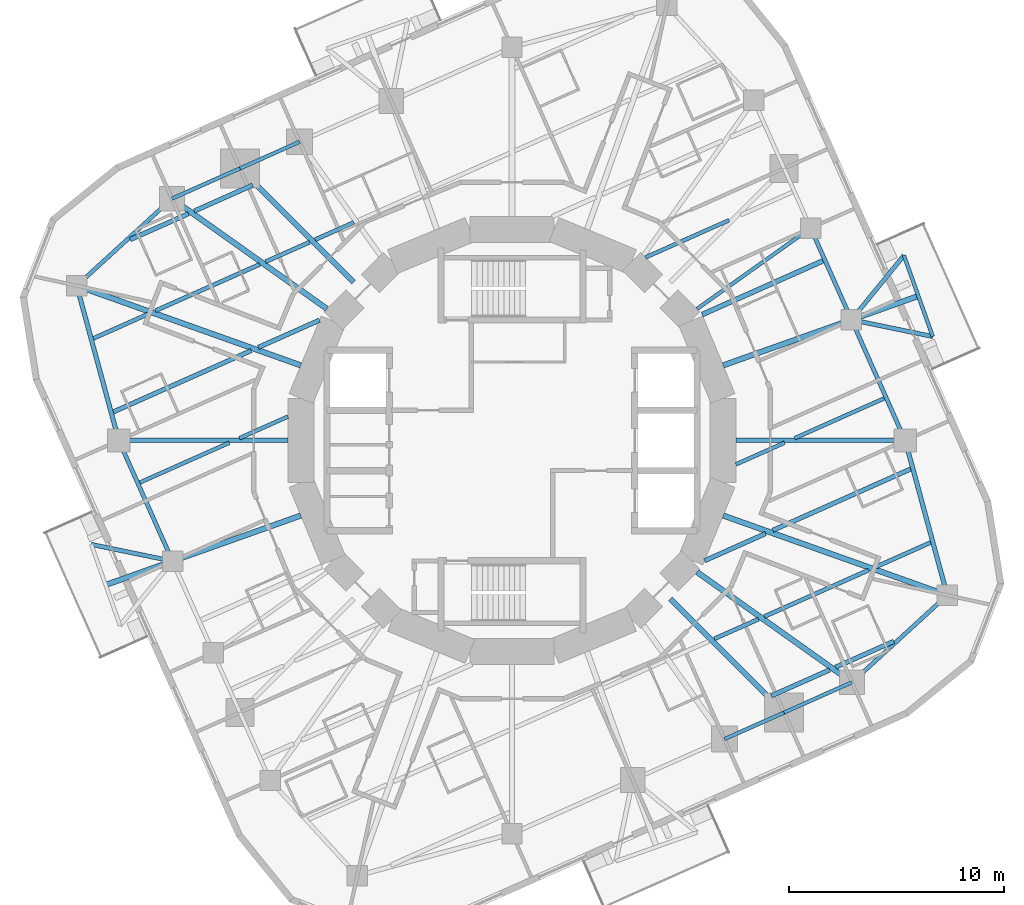
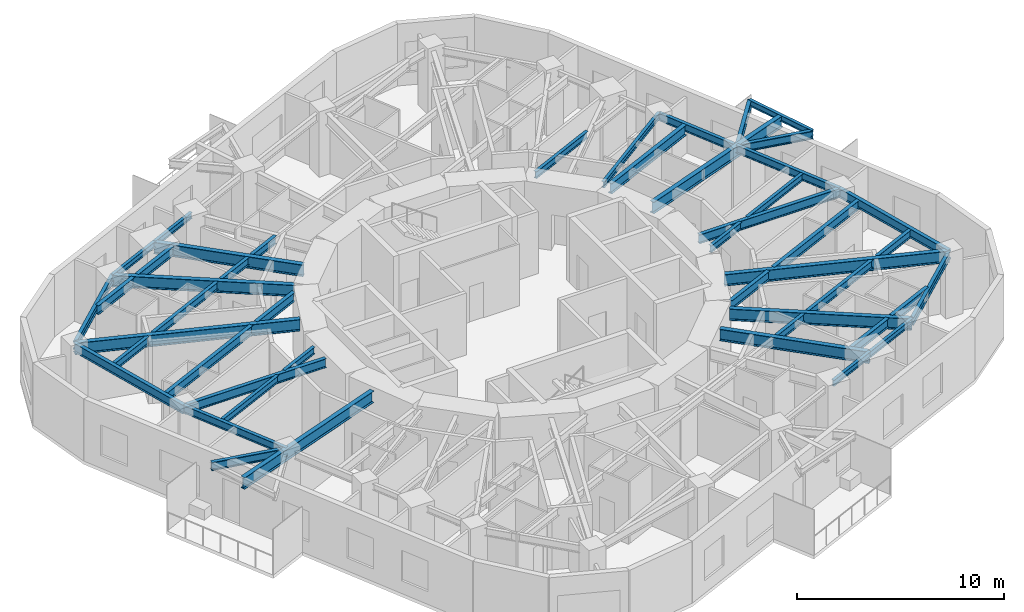
# One storey, part 2 of 12: 47 beams.
"""IFC4 building model written with IfcOpenShell, lengths in metres."""

from ifc_helpers import new_model, si_unit, direction, frame, origin, origin_2d, place, context, subcontext, project, spatial, i_section, extrude, material, material_profile, profile_set, type_object, element, save


model = new_model("IFC4")

# Units and contexts
model_context = context("Model", 3, precision=1e-05, world=origin(), true_north=direction((0.0, 1.0)))
body_context = subcontext(model_context, "Body", "Model", "MODEL_VIEW")
ifc_project = project(units=[si_unit("LENGTHUNIT", "METRE"), si_unit("AREAUNIT", "SQUARE_METRE"), si_unit("VOLUMEUNIT", "CUBIC_METRE"), si_unit("PLANEANGLEUNIT", "RADIAN"), si_unit("MASSUNIT", "GRAM", prefix="KILO")], contexts=[model_context])

# Site, building, storey
site_placement = place(None, origin())
site = spatial("IfcSite", under=ifc_project, at=site_placement, CompositionType="ELEMENT")
building_placement = place(site_placement, origin())
building = spatial("IfcBuilding", under=site, at=building_placement, Name="Nakasero Lantern House", CompositionType="ELEMENT")
storey_placement = place(building_placement, frame((0.0, 0.0, 197.85009765625)))
storey = spatial("IfcBuildingStorey", under=building, at=storey_placement, Name="L48", CompositionType="ELEMENT", Elevation=197.85009765625)

# Beams
ifc_material_1 = material(Name="Steel S355", Category="steel")
ifc_material_profile_1 = material_profile(ifc_material_1, i_section(OverallWidth=0.199462890625, OverallDepth=0.491943359375, WebThickness=0.01806640625, FlangeThickness=0.031982421875, FilletRadius=0.01025390625, at=origin_2d()), Name="UB 457x191x161")
ifc_profile_set_1 = profile_set([ifc_material_profile_1], Name="Steel S355")
beam_type_1 = type_object("IfcBeamType", Name="Balcony splay beam UB 457x191x161", PredefinedType="BEAM", material=ifc_profile_set_1)
beam_1_placement = place(storey_placement, frame((15.781982421875, 5.611328125, 3.40380859375), z_axis=(0.632165712937, 0.774833215206, 0.0), x_axis=(-0.774833215206, 0.632165712937, 0.0)))
element("IfcBeam", 1, at=beam_1_placement, inside=storey, type_object=beam_type_1, Name="Balcony splay beam L49 B5-C04A", PredefinedType="BEAM", context=body_context, shape_type="SweptSolid", body=[
    extrude(i_section(OverallWidth=0.199462890625, OverallDepth=0.491943359375, WebThickness=0.01806640625, FlangeThickness=0.031982421875, FilletRadius=0.01025390625, at=origin_2d()), origin(), (0.0, 0.0, 1.0), 3.85888671875),
])
for number, where, z_axis, x_axis, name in (
    (2, (15.781982421875, 5.611328125, 3.40380859375), (0.979420272605, -0.201831438605, 0.0), (0.201831438605, 0.979420272605, 0.0), "Balcony splay beam L49 B5-C04B"),
    (3, (-15.781982421875, -5.611328125, 3.40380859375), (-0.979420272605, 0.201831438605, 0.0), (-0.201831438605, -0.979420272605, 0.0), "Balcony splay beam L49 B5-C16B"),
):
    element("IfcBeam", number, at=place(storey_placement, frame(where, z_axis=z_axis, x_axis=x_axis)), inside=storey, type_object=beam_type_1, Name=name, PredefinedType="BEAM", context=body_context, shape_type="SweptSolid", body=[
        extrude(i_section(OverallWidth=0.199462890625, OverallDepth=0.491943359375, WebThickness=0.01806640625, FlangeThickness=0.031982421875, FilletRadius=0.01025390625, at=origin_2d()), origin(), (0.0, 0.0, 1.0), 3.858642578125),
    ])
ifc_material_2 = material(Name="Steel S355", Category="steel")
ifc_material_profile_2 = material_profile(ifc_material_2, i_section(OverallWidth=0.17138671875, OverallDepth=0.35498046875, WebThickness=0.00732421875, FlangeThickness=0.011474609375, FilletRadius=0.01025390625, at=origin_2d()), Name="UB 356x171x51")
ifc_profile_set_2 = profile_set([ifc_material_profile_2], Name="Steel S355")
beam_type_2 = type_object("IfcBeamType", Name="Balcony tie beam UB 356x171x51", PredefinedType="BEAM", material=ifc_profile_set_2)
beam_2_placement = place(storey_placement, frame((18.221435546875, 8.601318359375, 3.472412109375), z_axis=(0.334971134582, -0.94222839004, 0.0), x_axis=(0.94222839004, 0.334971134582, 0.0)))
element("IfcBeam", 4, at=beam_2_placement, inside=storey, type_object=beam_type_2, Name="Balcony tie beam L49 B5-C04", PredefinedType="BEAM", context=body_context, shape_type="SweptSolid", body=[
    extrude(i_section(OverallWidth=0.17138671875, OverallDepth=0.35498046875, WebThickness=0.00732421875, FlangeThickness=0.011474609375, FilletRadius=0.01025390625, at=origin_2d()), origin(), (0.0, 0.0, 1.0), 4.0),
])
ifc_material_3 = material(Name="Steel S355", Category="steel")
ifc_material_profile_3 = material_profile(ifc_material_3, i_section(OverallWidth=0.177978515625, OverallDepth=0.406494140625, WebThickness=0.0078125, FlangeThickness=0.0126953125, FilletRadius=0.01025390625, at=origin_2d()), Name="UB 406x178x60")
ifc_profile_set_3 = profile_set([ifc_material_profile_3], Name="Steel S355")
beam_type_3 = type_object("IfcBeamType", Name="Infill beam UB 406x178x60", PredefinedType="JOIST", material=ifc_profile_set_3)
beam_3_placement = place(storey_placement, frame((10.407958984375, -1.113037109375, 3.44677734375), z_axis=(0.913531019811, 0.406769069427, 0.0), x_axis=(-0.406769069427, 0.913531019811, 0.0)))
element("IfcBeam", 5, at=beam_3_placement, inside=storey, type_object=beam_type_3, Name="Infill beam L49 06.3", PredefinedType="JOIST", context=body_context, shape_type="SweptSolid", body=[
    extrude(i_section(OverallWidth=0.177978515625, OverallDepth=0.406494140625, WebThickness=0.0078125, FlangeThickness=0.0126953125, FilletRadius=0.01025390625, at=origin_2d()), origin(), (0.0, 0.0, 1.0), 2.478271484375),
])
for number, where, z_axis, x_axis, name in (
    (6, (13.1435546875, 0.10498046875, 3.44677734375), (0.913537236337, 0.406755107929, 0.0), (-0.406755107929, 0.913537236337, 0.0), "Infill beam L49 06.4"),
    (7, (-17.30419921875, -1.95751953125, 3.44677734375), (0.913537236337, 0.406755107929, 0.0), (-0.406755107929, 0.913537236337, 0.0), "Infill beam L49 09.1"),
):
    element("IfcBeam", number, at=place(storey_placement, frame(where, z_axis=z_axis, x_axis=x_axis)), inside=storey, type_object=beam_type_3, Name=name, PredefinedType="JOIST", context=body_context, shape_type="SweptSolid", body=[
        extrude(i_section(OverallWidth=0.177978515625, OverallDepth=0.406494140625, WebThickness=0.0078125, FlangeThickness=0.0126953125, FilletRadius=0.01025390625, at=origin_2d()), origin(), (0.0, 0.0, 1.0), 4.554443359375),
    ])
beam_4_placement = place(storey_placement, frame((-12.671875, 0.10498046875, 3.44677734375), z_axis=(0.913531019811, 0.406769069427, 0.0), x_axis=(-0.406769069427, 0.913531019811, 0.0)))
element("IfcBeam", 8, at=beam_4_placement, inside=storey, type_object=beam_type_3, Name="Infill beam L49 09.2", PredefinedType="JOIST", context=body_context, shape_type="SweptSolid", body=[
    extrude(i_section(OverallWidth=0.177978515625, OverallDepth=0.406494140625, WebThickness=0.0078125, FlangeThickness=0.0126953125, FilletRadius=0.01025390625, at=origin_2d()), origin(), (0.0, 0.0, 1.0), 2.478271484375),
])
beam_5_placement = place(storey_placement, frame((6.2080078125, 8.5107421875, 3.44677734375), z_axis=(0.91354134882, 0.406745871517, 0.0), x_axis=(-0.406745871517, 0.91354134882, 0.0)))
element("IfcBeam", 9, at=beam_5_placement, inside=storey, type_object=beam_type_3, Name="Infill beam L49 09.3", PredefinedType="JOIST", context=body_context, shape_type="SweptSolid", body=[
    extrude(i_section(OverallWidth=0.177978515625, OverallDepth=0.406494140625, WebThickness=0.0078125, FlangeThickness=0.0126953125, FilletRadius=0.01025390625, at=origin_2d()), origin(), (0.0, 0.0, 1.0), 4.250732421875),
])
ifc_material_4 = material(Name="Steel S355", Category="steel")
ifc_material_profile_4 = material_profile(ifc_material_4, i_section(OverallWidth=0.18994140625, OverallDepth=0.453369140625, WebThickness=0.008544921875, FlangeThickness=0.0126953125, FilletRadius=0.01025390625, at=origin_2d()), Name="UB 457x191x67")
ifc_profile_set_4 = profile_set([ifc_material_profile_4], Name="Steel S355")
beam_type_4 = type_object("IfcBeamType", Name="Infill beam UB 457x191x67", PredefinedType="JOIST", material=ifc_profile_set_4)
beam_6_placement = place(storey_placement, frame((9.403564453125, -9.22265625, 3.423095703125), z_axis=(0.913516376313, 0.406801954529, 0.0), x_axis=(-0.406801954529, 0.913516376313, 0.0)))
element("IfcBeam", 10, at=beam_6_placement, inside=storey, type_object=beam_type_4, Name="Infill beam L49 04.6", PredefinedType="JOIST", context=body_context, shape_type="SweptSolid", body=[
    extrude(i_section(OverallWidth=0.18994140625, OverallDepth=0.453369140625, WebThickness=0.008544921875, FlangeThickness=0.0126953125, FilletRadius=0.01025390625, at=origin_2d()), origin(), (0.0, 0.0, 1.0), 2.2529296875),
])
beam_7_placement = place(storey_placement, frame((11.73095703125, -8.186279296875, 3.423095703125), z_axis=(0.913558956665, 0.406706322421, 0.0), x_axis=(-0.406706322421, 0.913558956665, 0.0)))
element("IfcBeam", 11, at=beam_7_placement, inside=storey, type_object=beam_type_4, Name="Infill beam L49 04.7", PredefinedType="JOIST", context=body_context, shape_type="SweptSolid", body=[
    extrude(i_section(OverallWidth=0.18994140625, OverallDepth=0.453369140625, WebThickness=0.008544921875, FlangeThickness=0.0126953125, FilletRadius=0.01025390625, at=origin_2d()), origin(), (0.0, 0.0, 1.0), 5.3046875),
])
beam_8_placement = place(storey_placement, frame((16.913330078125, -5.87890625, 3.423095703125), z_axis=(0.913544199752, 0.406739468332, 0.0), x_axis=(-0.406739468332, 0.913544199752, 0.0)))
element("IfcBeam", 12, at=beam_8_placement, inside=storey, type_object=beam_type_4, Name="Infill beam L49 04.8", PredefinedType="JOIST", context=body_context, shape_type="SweptSolid", body=[
    extrude(i_section(OverallWidth=0.18994140625, OverallDepth=0.453369140625, WebThickness=0.008544921875, FlangeThickness=0.0126953125, FilletRadius=0.01025390625, at=origin_2d()), origin(), (0.0, 0.0, 1.0), 2.788818359375),
])
beam_9_placement = place(storey_placement, frame((-19.46142578125, 4.744384765625, 3.423095703125), z_axis=(0.913540637242, 0.4067474697, 0.0), x_axis=(-0.4067474697, 0.913540637242, 0.0)))
element("IfcBeam", 13, at=beam_9_placement, inside=storey, type_object=beam_type_4, Name="Infill beam L49 11.1", PredefinedType="JOIST", context=body_context, shape_type="SweptSolid", body=[
    extrude(i_section(OverallWidth=0.18994140625, OverallDepth=0.453369140625, WebThickness=0.008544921875, FlangeThickness=0.0126953125, FilletRadius=0.01025390625, at=origin_2d()), origin(), (0.0, 0.0, 1.0), 2.789306640625),
])
beam_10_placement = place(storey_placement, frame((-16.5771484375, 6.02880859375, 3.423095703125), z_axis=(0.913558956665, 0.406706322421, 0.0), x_axis=(-0.406706322421, 0.913558956665, 0.0)))
element("IfcBeam", 14, at=beam_10_placement, inside=storey, type_object=beam_type_4, Name="Infill beam L49 11.2", PredefinedType="JOIST", context=body_context, shape_type="SweptSolid", body=[
    extrude(i_section(OverallWidth=0.18994140625, OverallDepth=0.453369140625, WebThickness=0.008544921875, FlangeThickness=0.0126953125, FilletRadius=0.01025390625, at=origin_2d()), origin(), (0.0, 0.0, 1.0), 5.3046875),
])
beam_11_placement = place(storey_placement, frame((-11.461669921875, 8.30615234375, 3.423095703125), z_axis=(0.913516376313, 0.406801954529, 0.0), x_axis=(-0.406801954529, 0.913516376313, 0.0)))
element("IfcBeam", 15, at=beam_11_placement, inside=storey, type_object=beam_type_4, Name="Infill beam L49 11.3", PredefinedType="JOIST", context=body_context, shape_type="SweptSolid", body=[
    extrude(i_section(OverallWidth=0.18994140625, OverallDepth=0.453369140625, WebThickness=0.008544921875, FlangeThickness=0.0126953125, FilletRadius=0.01025390625, at=origin_2d()), origin(), (0.0, 0.0, 1.0), 2.2529296875),
])
beam_12_placement = place(storey_placement, frame((-9.153076171875, 9.333984375, 3.423095703125), z_axis=(0.913536028639, 0.406757820304, 0.0), x_axis=(-0.406757820304, 0.913536028639, 0.0)))
element("IfcBeam", 16, at=beam_12_placement, inside=storey, type_object=beam_type_4, Name="Infill beam L49 11.4", PredefinedType="JOIST", context=body_context, shape_type="SweptSolid", body=[
    extrude(i_section(OverallWidth=0.18994140625, OverallDepth=0.453369140625, WebThickness=0.008544921875, FlangeThickness=0.0126953125, FilletRadius=0.01025390625, at=origin_2d()), origin(), (0.0, 0.0, 1.0), 1.974609375),
])
ifc_material_5 = material(Name="Steel S355", Category="steel")
ifc_material_profile_5 = material_profile(ifc_material_5, i_section(OverallWidth=0.2099609375, OverallDepth=0.53662109375, WebThickness=0.0107421875, FlangeThickness=0.017333984375, FilletRadius=0.0126953125, at=origin_2d()), Name="UB 533x210x101")
ifc_profile_set_5 = profile_set([ifc_material_profile_5], Name="Steel S355")
beam_type_5 = type_object("IfcBeamType", Name="Infill beam UB 533x210x101", PredefinedType="JOIST", material=ifc_profile_set_5)
beam_13_placement = place(storey_placement, frame((12.054443359375, -11.87353515625, 3.381591796875), z_axis=(0.913551039628, 0.406724105501, 0.0), x_axis=(-0.406724105501, 0.913551039628, 0.0)))
element("IfcBeam", 17, at=beam_13_placement, inside=storey, type_object=beam_type_5, Name="Infill beam L49 03.2", PredefinedType="JOIST", context=body_context, shape_type="SweptSolid", body=[
    extrude(i_section(OverallWidth=0.2099609375, OverallDepth=0.53662109375, WebThickness=0.0107421875, FlangeThickness=0.017333984375, FilletRadius=0.0126953125, at=origin_2d()), origin(), (0.0, 0.0, 1.0), 2.977783203125),
])
for number, where, z_axis, x_axis, name in (
    (18, (15.044189453125, -10.54248046875, 3.381591796875), (0.91353278913, 0.406765095827, 0.0), (-0.406765095827, 0.91353278913, 0.0), "Infill beam L49 03.3"),
    (19, (-17.751708984375, 9.3369140625, 3.381591796875), (0.91353278913, 0.406765095827, 0.0), (-0.406765095827, 0.91353278913, 0.0), "Infill beam L49 12.1"),
):
    element("IfcBeam", number, at=place(storey_placement, frame(where, z_axis=z_axis, x_axis=x_axis)), inside=storey, type_object=beam_type_5, Name=name, PredefinedType="JOIST", context=body_context, shape_type="SweptSolid", body=[
        extrude(i_section(OverallWidth=0.2099609375, OverallDepth=0.53662109375, WebThickness=0.0107421875, FlangeThickness=0.017333984375, FilletRadius=0.0126953125, at=origin_2d()), origin(), (0.0, 0.0, 1.0), 2.9638671875),
    ])
beam_14_placement = place(storey_placement, frame((-14.77490234375, 10.662353515625, 3.381591796875), z_axis=(0.913551039628, 0.406724105501, 0.0), x_axis=(-0.406724105501, 0.913551039628, 0.0)))
element("IfcBeam", 20, at=beam_14_placement, inside=storey, type_object=beam_type_5, Name="Infill beam L49 12.2", PredefinedType="JOIST", context=body_context, shape_type="SweptSolid", body=[
    extrude(i_section(OverallWidth=0.2099609375, OverallDepth=0.53662109375, WebThickness=0.0107421875, FlangeThickness=0.017333984375, FilletRadius=0.0126953125, at=origin_2d()), origin(), (0.0, 0.0, 1.0), 2.977783203125),
])
ifc_material_6 = material(Name="Steel S355", Category="steel")
ifc_material_profile_6 = material_profile(ifc_material_6, i_section(OverallWidth=0.208740234375, OverallDepth=0.5283203125, WebThickness=0.009521484375, FlangeThickness=0.01318359375, FilletRadius=0.0126953125, at=origin_2d()), Name="UB 533x210x82")
ifc_profile_set_6 = profile_set([ifc_material_profile_6], Name="Steel S355")
beam_type_6 = type_object("IfcBeamType", Name="Infill beam UB 533x210x82", PredefinedType="JOIST", material=ifc_profile_set_6)
beam_15_placement = place(storey_placement, frame((8.9482421875, -5.593994140625, 3.3857421875), z_axis=(0.913555928833, 0.406713123582, 0.0), x_axis=(-0.406713123582, 0.913555928833, 0.0)))
element("IfcBeam", 21, at=beam_15_placement, inside=storey, type_object=beam_type_6, Name="Infill beam L49 05.4", PredefinedType="JOIST", context=body_context, shape_type="SweptSolid", body=[
    extrude(i_section(OverallWidth=0.208740234375, OverallDepth=0.5283203125, WebThickness=0.009521484375, FlangeThickness=0.01318359375, FilletRadius=0.0126953125, at=origin_2d()), origin(), (0.0, 0.0, 1.0), 3.113525390625),
])
beam_16_placement = place(storey_placement, frame((12.12890625, -4.177978515625, 3.3857421875), z_axis=(0.913538442343, 0.406752399332, 0.0), x_axis=(-0.406752399332, 0.913538442343, 0.0)))
element("IfcBeam", 22, at=beam_16_placement, inside=storey, type_object=beam_type_6, Name="Infill beam L49 05.5", PredefinedType="JOIST", context=body_context, shape_type="SweptSolid", body=[
    extrude(i_section(OverallWidth=0.208740234375, OverallDepth=0.5283203125, WebThickness=0.009521484375, FlangeThickness=0.01318359375, FilletRadius=0.0126953125, at=origin_2d()), origin(), (0.0, 0.0, 1.0), 7.00927734375),
])
beam_17_placement = place(storey_placement, frame((-18.53271484375, 1.32666015625, 3.3857421875), z_axis=(0.913537025225, 0.406755582067, 0.0), x_axis=(-0.406755582067, 0.913537025225, 0.0)))
element("IfcBeam", 23, at=beam_17_placement, inside=storey, type_object=beam_type_6, Name="Infill beam L49 10.1", PredefinedType="JOIST", context=body_context, shape_type="SweptSolid", body=[
    extrude(i_section(OverallWidth=0.208740234375, OverallDepth=0.5283203125, WebThickness=0.009521484375, FlangeThickness=0.01318359375, FilletRadius=0.0126953125, at=origin_2d()), origin(), (0.0, 0.0, 1.0), 7.010009765625),
])
beam_18_placement = place(storey_placement, frame((-11.792724609375, 4.32763671875, 3.3857421875), z_axis=(0.913555928833, 0.406713123582, 0.0), x_axis=(-0.406713123582, 0.913555928833, 0.0)))
element("IfcBeam", 24, at=beam_18_placement, inside=storey, type_object=beam_type_6, Name="Infill beam L49 10.2", PredefinedType="JOIST", context=body_context, shape_type="SweptSolid", body=[
    extrude(i_section(OverallWidth=0.208740234375, OverallDepth=0.5283203125, WebThickness=0.009521484375, FlangeThickness=0.01318359375, FilletRadius=0.0126953125, at=origin_2d()), origin(), (0.0, 0.0, 1.0), 3.113525390625),
])
ifc_material_7 = material(Name="Steel S355", Category="steel")
ifc_material_profile_7 = material_profile(ifc_material_7, i_section(OverallWidth=0.22900390625, OverallDepth=0.6123046875, WebThickness=0.011962890625, FlangeThickness=0.01953125, FilletRadius=0.0126953125, at=origin_2d()), Name="UB 610x229x125")
ifc_profile_set_7 = profile_set([ifc_material_profile_7], Name="Steel S355")
beam_type_7 = type_object("IfcBeamType", Name="Infill beam UB 610x229x125", PredefinedType="JOIST", material=ifc_profile_set_7)
beam_19_placement = place(storey_placement, frame((8.84130859375, 5.85205078125, 3.34375), z_axis=(0.913552627294, 0.406720539393, 0.0), x_axis=(-0.406720539393, 0.913552627294, 0.0)))
element("IfcBeam", 25, at=beam_19_placement, inside=storey, type_object=beam_type_7, Name="Infill beam L49 08.1", PredefinedType="JOIST", context=body_context, shape_type="SweptSolid", body=[
    extrude(i_section(OverallWidth=0.22900390625, OverallDepth=0.6123046875, WebThickness=0.011962890625, FlangeThickness=0.01953125, FilletRadius=0.0126953125, at=origin_2d()), origin(), (0.0, 0.0, 1.0), 6.14794921875),
])
ifc_material_8 = material(Name="Steel S355", Category="steel")
ifc_material_profile_8 = material_profile(ifc_material_8, i_section(OverallWidth=0.17138671875, OverallDepth=0.35498046875, WebThickness=0.00732421875, FlangeThickness=0.011474609375, FilletRadius=0.01025390625, at=origin_2d()), Name="UB 356x171x51")
ifc_profile_set_8 = profile_set([ifc_material_profile_8], Name="Steel S355")
beam_type_8 = type_object("IfcBeamType", Name="Primary beam UB 356x171x51, span 6 to 9 m", PredefinedType="BEAM", material=ifc_profile_set_8)
beam_20_placement = place(storey_placement, frame((13.884521484375, 9.87353515625, 3.472412109375), z_axis=(-0.8149430702, -0.57954101868, 0.0), x_axis=(0.57954101868, -0.8149430702, 0.0)))
element("IfcBeam", 26, at=beam_20_placement, inside=storey, type_object=beam_type_8, Name="Primary beam L49 B5-C05", PredefinedType="BEAM", context=body_context, shape_type="SweptSolid", body=[
    extrude(i_section(OverallWidth=0.17138671875, OverallDepth=0.35498046875, WebThickness=0.00732421875, FlangeThickness=0.011474609375, FilletRadius=0.01025390625, at=origin_2d()), origin(), (0.0, 0.0, 1.0), 6.48193359375),
])
ifc_material_9 = material(Name="Steel S355", Category="steel")
ifc_material_profile_9 = material_profile(ifc_material_9, i_section(OverallWidth=0.2099609375, OverallDepth=0.53662109375, WebThickness=0.0107421875, FlangeThickness=0.017333984375, FilletRadius=0.0126953125, at=origin_2d()), Name="UB 533x210x101")
ifc_profile_set_9 = profile_set([ifc_material_profile_9], Name="Steel S355")
beam_type_9 = type_object("IfcBeamType", Name="Primary beam UB 533x210x101, span 6 to 9 m", PredefinedType="BEAM", material=ifc_profile_set_9)
for number, where, z_axis, x_axis, name in (
    (27, (18.280517578125, 0.0, 3.381591796875), (-1.0, 0.0, 0.0), (0.0, -1.0, 0.0), "Primary beam L49 B5-C03"),
    (28, (-18.280517578125, 0.0, 3.381591796875), (1.0, 0.0, 0.0), (0.0, 1.0, 0.0), "Primary beam L49 B5-C15"),
):
    element("IfcBeam", number, at=place(storey_placement, frame(where, z_axis=z_axis, x_axis=x_axis)), inside=storey, type_object=beam_type_9, Name=name, PredefinedType="BEAM", context=body_context, shape_type="SweptSolid", body=[
        extrude(i_section(OverallWidth=0.2099609375, OverallDepth=0.53662109375, WebThickness=0.0107421875, FlangeThickness=0.017333984375, FilletRadius=0.0126953125, at=origin_2d()), origin(), (0.0, 0.0, 1.0), 7.87255859375),
    ])
ifc_material_10 = material(Name="Steel S355", Category="steel")
ifc_material_profile_10 = material_profile(ifc_material_10, i_section(OverallWidth=0.253662109375, OverallDepth=0.68359375, WebThickness=0.012451171875, FlangeThickness=0.01904296875, FilletRadius=0.01513671875, at=origin_2d()), Name="UB 686x254x140")
ifc_profile_set_10 = profile_set([ifc_material_profile_10], Name="Steel S355")
beam_type_10 = type_object("IfcBeamType", Name="Primary beam UB 686x254x140, span 6 to 9 m", PredefinedType="BEAM", material=ifc_profile_set_10)
beam_21_placement = place(storey_placement, frame((15.808837890625, -11.241943359375, 3.30810546875), z_axis=(-0.814946052543, 0.579536824926, 0.0), x_axis=(-0.579536824926, -0.814946052543, 0.0)))
element("IfcBeam", 29, at=beam_21_placement, inside=storey, type_object=beam_type_10, Name="Primary beam L49 B5-C01", PredefinedType="BEAM", context=body_context, shape_type="SweptSolid", body=[
    extrude(i_section(OverallWidth=0.253662109375, OverallDepth=0.68359375, WebThickness=0.012451171875, FlangeThickness=0.01904296875, FilletRadius=0.01513671875, at=origin_2d()), origin(), (0.0, 0.0, 1.0), 8.84326171875),
])
beam_22_placement = place(storey_placement, frame((18.891357421875, 6.717041015625, 3.30810546875), z_axis=(-0.942207397814, -0.335030177005, 0.0), x_axis=(0.335030177005, -0.942207397814, 0.0)))
element("IfcBeam", 30, at=beam_22_placement, inside=storey, type_object=beam_type_10, Name="Primary beam L49 B5-C04", PredefinedType="BEAM", context=body_context, shape_type="SweptSolid", body=[
    extrude(i_section(OverallWidth=0.253662109375, OverallDepth=0.68359375, WebThickness=0.012451171875, FlangeThickness=0.01904296875, FilletRadius=0.01513671875, at=origin_2d()), origin(), (0.0, 0.0, 1.0), 9.62841796875),
])
beam_23_placement = place(storey_placement, frame((-15.808837890625, 11.241943359375, 3.30810546875), z_axis=(0.814946052543, -0.579536824926, 0.0), x_axis=(0.579536824926, 0.814946052543, 0.0)))
element("IfcBeam", 31, at=beam_23_placement, inside=storey, type_object=beam_type_10, Name="Primary beam L49 B5-C13", PredefinedType="BEAM", context=body_context, shape_type="SweptSolid", body=[
    extrude(i_section(OverallWidth=0.253662109375, OverallDepth=0.68359375, WebThickness=0.012451171875, FlangeThickness=0.01904296875, FilletRadius=0.01513671875, at=origin_2d()), origin(), (0.0, 0.0, 1.0), 8.84326171875),
])
beam_24_placement = place(storey_placement, frame((-18.891357421875, -6.717041015625, 3.30810546875), z_axis=(0.942207397814, 0.335030177005, 0.0), x_axis=(-0.335030177005, 0.942207397814, 0.0)))
element("IfcBeam", 32, at=beam_24_placement, inside=storey, type_object=beam_type_10, Name="Primary beam L49 B5-C16", PredefinedType="BEAM", context=body_context, shape_type="SweptSolid", body=[
    extrude(i_section(OverallWidth=0.253662109375, OverallDepth=0.68359375, WebThickness=0.012451171875, FlangeThickness=0.01904296875, FilletRadius=0.01513671875, at=origin_2d()), origin(), (0.0, 0.0, 1.0), 9.62841796875),
])
ifc_material_11 = material(Name="Steel S355", Category="steel")
ifc_material_profile_11 = material_profile(ifc_material_11, i_section(OverallWidth=0.253662109375, OverallDepth=0.68359375, WebThickness=0.012451171875, FlangeThickness=0.01904296875, FilletRadius=0.01513671875, at=origin_2d()), Name="UB 686x254x140")
ifc_profile_set_11 = profile_set([ifc_material_profile_11], Name="Steel S355")
beam_type_11 = type_object("IfcBeamType", Name="Primary beam UB 686x254x140, span 9 to 12 m", PredefinedType="BEAM", material=ifc_profile_set_11)
for number, where, z_axis, x_axis, name in (
    (33, (20.2353515625, -7.19482421875, 3.30810546875), (-0.942210662535, 0.335020995468, 0.0), (-0.335020995468, -0.942210662535, 0.0), "Primary beam L49 B5-C02"),
    (34, (-20.2353515625, 7.19482421875, 3.30810546875), (0.942210662535, -0.335020995468, 0.0), (0.335020995468, 0.942210662535, 0.0), "Primary beam L49 B5-C14"),
):
    element("IfcBeam", number, at=place(storey_placement, frame(where, z_axis=z_axis, x_axis=x_axis)), inside=storey, type_object=beam_type_11, Name=name, PredefinedType="BEAM", context=body_context, shape_type="SweptSolid", body=[
        extrude(i_section(OverallWidth=0.253662109375, OverallDepth=0.68359375, WebThickness=0.012451171875, FlangeThickness=0.01904296875, FilletRadius=0.01513671875, at=origin_2d()), origin(), (0.0, 0.0, 1.0), 11.054931640625),
    ])
ifc_material_12 = material(Name="Steel S355", Category="steel")
ifc_material_profile_12 = material_profile(ifc_material_12, i_section(OverallWidth=0.255859375, OverallDepth=0.69287109375, WebThickness=0.014404296875, FlangeThickness=0.023681640625, FilletRadius=0.01513671875, at=origin_2d()), Name="UB 686x254x170")
ifc_profile_set_12 = profile_set([ifc_material_profile_12], Name="Steel S355")
beam_type_12 = type_object("IfcBeamType", Name="Primary beam UB 686x254x170, span 6 to 9 m", PredefinedType="BEAM", material=ifc_profile_set_12)
for number, where, z_axis, x_axis, name in (
    (35, (-12.64892578125, 12.64892578125, 3.303466796875), (0.707106781187, -0.707106781187, 0.0), (0.707106781187, 0.707106781187, 0.0), "Primary beam L49 B5-C12"),
    (36, (12.64892578125, -12.64892578125, 3.303466796875), (-0.707106781187, 0.707106781187, 0.0), (-0.707106781187, -0.707106781187, 0.0), "Primary beam L49 B5-C24"),
):
    element("IfcBeam", number, at=place(storey_placement, frame(where, z_axis=z_axis, x_axis=x_axis)), inside=storey, type_object=beam_type_12, Name=name, PredefinedType="BEAM", context=body_context, shape_type="SweptSolid", body=[
        extrude(i_section(OverallWidth=0.255859375, OverallDepth=0.69287109375, WebThickness=0.014404296875, FlangeThickness=0.023681640625, FilletRadius=0.01513671875, at=origin_2d()), origin(), (0.0, 0.0, 1.0), 7.48046875),
    ])
ifc_material_13 = material(Name="Steel S355", Category="steel")
ifc_material_profile_13 = material_profile(ifc_material_13, i_section(OverallWidth=0.17138671875, OverallDepth=0.35498046875, WebThickness=0.00732421875, FlangeThickness=0.011474609375, FilletRadius=0.01025390625, at=origin_2d()), Name="UB 356x171x51")
ifc_profile_set_13 = profile_set([ifc_material_profile_13], Name="Steel S355")
beam_type_13 = type_object("IfcBeamType", Name="Ring beam UB 356x171x51", PredefinedType="BEAM", material=ifc_profile_set_13)
beam_25_placement = place(storey_placement, frame((-9.87353515625, 13.884521484375, 3.472412109375), z_axis=(-0.913556197925, -0.40671251915, 0.0), x_axis=(0.40671251915, -0.913556197925, 0.0)))
element("IfcBeam", 37, at=beam_25_placement, inside=storey, type_object=beam_type_13, Name="Ring beam L49 B5-C11", PredefinedType="BEAM", context=body_context, shape_type="SweptSolid", body=[
    extrude(i_section(OverallWidth=0.17138671875, OverallDepth=0.35498046875, WebThickness=0.00732421875, FlangeThickness=0.011474609375, FilletRadius=0.01025390625, at=origin_2d()), origin(), (0.0, 0.0, 1.0), 3.0380859375),
])
beam_26_placement = place(storey_placement, frame((-12.64892578125, 12.64892578125, 3.472412109375), z_axis=(-0.913534832457, -0.406760506795, 0.0), x_axis=(0.406760506795, -0.913534832457, 0.0)))
element("IfcBeam", 38, at=beam_26_placement, inside=storey, type_object=beam_type_13, Name="Ring beam L49 B5-C12", PredefinedType="BEAM", context=body_context, shape_type="SweptSolid", body=[
    extrude(i_section(OverallWidth=0.17138671875, OverallDepth=0.35498046875, WebThickness=0.00732421875, FlangeThickness=0.011474609375, FilletRadius=0.01025390625, at=origin_2d()), origin(), (0.0, 0.0, 1.0), 3.458984375),
])
beam_27_placement = place(storey_placement, frame((9.87353515625, -13.884521484375, 3.472412109375), z_axis=(0.913556197925, 0.40671251915, 0.0), x_axis=(-0.40671251915, 0.913556197925, 0.0)))
element("IfcBeam", 39, at=beam_27_placement, inside=storey, type_object=beam_type_13, Name="Ring beam L49 B5-C23", PredefinedType="BEAM", context=body_context, shape_type="SweptSolid", body=[
    extrude(i_section(OverallWidth=0.17138671875, OverallDepth=0.35498046875, WebThickness=0.00732421875, FlangeThickness=0.011474609375, FilletRadius=0.01025390625, at=origin_2d()), origin(), (0.0, 0.0, 1.0), 3.0380859375),
])
beam_28_placement = place(storey_placement, frame((12.64892578125, -12.64892578125, 3.472412109375), z_axis=(0.913534832457, 0.406760506795, 0.0), x_axis=(-0.406760506795, 0.913534832457, 0.0)))
element("IfcBeam", 40, at=beam_28_placement, inside=storey, type_object=beam_type_13, Name="Ring beam L49 B5-C24", PredefinedType="BEAM", context=body_context, shape_type="SweptSolid", body=[
    extrude(i_section(OverallWidth=0.17138671875, OverallDepth=0.35498046875, WebThickness=0.00732421875, FlangeThickness=0.011474609375, FilletRadius=0.01025390625, at=origin_2d()), origin(), (0.0, 0.0, 1.0), 3.458984375),
])
ifc_material_14 = material(Name="Steel S355", Category="steel")
ifc_material_profile_14 = material_profile(ifc_material_14, i_section(OverallWidth=0.18994140625, OverallDepth=0.453369140625, WebThickness=0.008544921875, FlangeThickness=0.0126953125, FilletRadius=0.01025390625, at=origin_2d()), Name="UB 457x191x67")
ifc_profile_set_14 = profile_set([ifc_material_profile_14], Name="Steel S355")
beam_type_14 = type_object("IfcBeamType", Name="Ring beam UB 457x191x67", PredefinedType="BEAM", material=ifc_profile_set_14)
beam_29_placement = place(storey_placement, frame((15.808837890625, -11.241943359375, 3.423095703125), z_axis=(0.73802707447, 0.674771099966, 0.0), x_axis=(-0.674771099966, 0.73802707447, 0.0)))
element("IfcBeam", 41, at=beam_29_placement, inside=storey, type_object=beam_type_14, Name="Ring beam L49 B5-C01", PredefinedType="BEAM", context=body_context, shape_type="SweptSolid", body=[
    extrude(i_section(OverallWidth=0.18994140625, OverallDepth=0.453369140625, WebThickness=0.008544921875, FlangeThickness=0.0126953125, FilletRadius=0.01025390625, at=origin_2d()), origin(), (0.0, 0.0, 1.0), 5.997802734375),
])
beam_30_placement = place(storey_placement, frame((15.781982421875, 5.611328125, 3.423095703125), z_axis=(-0.406701600856, 0.913561058639, 0.0), x_axis=(-0.913561058639, -0.406701600856, 0.0)))
element("IfcBeam", 42, at=beam_30_placement, inside=storey, type_object=beam_type_14, Name="Ring beam L49 B5-C04", PredefinedType="BEAM", context=body_context, shape_type="SweptSolid", body=[
    extrude(i_section(OverallWidth=0.18994140625, OverallDepth=0.453369140625, WebThickness=0.008544921875, FlangeThickness=0.0126953125, FilletRadius=0.01025390625, at=origin_2d()), origin(), (0.0, 0.0, 1.0), 4.66552734375),
])
beam_31_placement = place(storey_placement, frame((-15.808837890625, 11.241943359375, 3.423095703125), z_axis=(-0.73802707447, -0.674771099966, 0.0), x_axis=(0.674771099966, -0.73802707447, 0.0)))
element("IfcBeam", 43, at=beam_31_placement, inside=storey, type_object=beam_type_14, Name="Ring beam L49 B5-C13", PredefinedType="BEAM", context=body_context, shape_type="SweptSolid", body=[
    extrude(i_section(OverallWidth=0.18994140625, OverallDepth=0.453369140625, WebThickness=0.008544921875, FlangeThickness=0.0126953125, FilletRadius=0.01025390625, at=origin_2d()), origin(), (0.0, 0.0, 1.0), 5.997802734375),
])
ifc_material_15 = material(Name="Steel S355", Category="steel")
ifc_material_profile_15 = material_profile(ifc_material_15, i_section(OverallWidth=0.19140625, OverallDepth=0.4599609375, WebThickness=0.010009765625, FlangeThickness=0.01611328125, FilletRadius=0.01025390625, at=origin_2d()), Name="UB 457x191x82")
ifc_profile_set_15 = profile_set([ifc_material_profile_15], Name="Steel S355")
beam_type_15 = type_object("IfcBeamType", Name="Ring beam UB 457x191x82", PredefinedType="BEAM", material=ifc_profile_set_15)
for number, where, z_axis, x_axis, name in (
    (44, (18.280517578125, 0.0, 3.419921875), (-0.406765299215, 0.913532698569, 0.0), (-0.913532698569, -0.406765299215, 0.0), "Ring beam L49 B5-C03"),
    (45, (-18.280517578125, 0.0, 3.419921875), (0.406765299215, -0.913532698569, 0.0), (0.913532698569, 0.406765299215, 0.0), "Ring beam L49 B5-C15"),
):
    element("IfcBeam", number, at=place(storey_placement, frame(where, z_axis=z_axis, x_axis=x_axis)), inside=storey, type_object=beam_type_15, Name=name, PredefinedType="BEAM", context=body_context, shape_type="SweptSolid", body=[
        extrude(i_section(OverallWidth=0.19140625, OverallDepth=0.4599609375, WebThickness=0.010009765625, FlangeThickness=0.01611328125, FilletRadius=0.01025390625, at=origin_2d()), origin(), (0.0, 0.0, 1.0), 6.142333984375),
    ])
ifc_material_16 = material(Name="Steel S355", Category="steel")
ifc_material_profile_16 = material_profile(ifc_material_16, i_section(OverallWidth=0.2099609375, OverallDepth=0.53662109375, WebThickness=0.0107421875, FlangeThickness=0.017333984375, FilletRadius=0.0126953125, at=origin_2d()), Name="UB 533x210x101")
ifc_profile_set_16 = profile_set([ifc_material_profile_16], Name="Steel S355")
beam_type_16 = type_object("IfcBeamType", Name="Ring beam UB 533x210x101", PredefinedType="BEAM", material=ifc_profile_set_16)
beam_32_placement = place(storey_placement, frame((20.2353515625, -7.19482421875, 3.381591796875), z_axis=(-0.26219461312, 0.965015017941, 0.0), x_axis=(-0.965015017941, -0.26219461312, 0.0)))
element("IfcBeam", 46, at=beam_32_placement, inside=storey, type_object=beam_type_16, Name="Ring beam L49 B5-C02", PredefinedType="BEAM", context=body_context, shape_type="SweptSolid", body=[
    extrude(i_section(OverallWidth=0.2099609375, OverallDepth=0.53662109375, WebThickness=0.0107421875, FlangeThickness=0.017333984375, FilletRadius=0.0126953125, at=origin_2d()), origin(), (0.0, 0.0, 1.0), 7.45556640625),
])
ifc_material_17 = material(Name="Steel S355", Category="steel")
ifc_material_profile_17 = material_profile(ifc_material_17, i_section(OverallWidth=0.208740234375, OverallDepth=0.5283203125, WebThickness=0.009521484375, FlangeThickness=0.01318359375, FilletRadius=0.0126953125, at=origin_2d()), Name="UB 533x210x82")
ifc_profile_set_17 = profile_set([ifc_material_profile_17], Name="Steel S355")
beam_type_17 = type_object("IfcBeamType", Name="Ring beam UB 533x210x82", PredefinedType="BEAM", material=ifc_profile_set_17)
beam_33_placement = place(storey_placement, frame((-20.2353515625, 7.19482421875, 3.3857421875), z_axis=(0.26219461312, -0.965015017941, 0.0), x_axis=(0.965015017941, 0.26219461312, 0.0)))
element("IfcBeam", 47, at=beam_33_placement, inside=storey, type_object=beam_type_17, Name="Ring beam L49 B5-C14", PredefinedType="BEAM", context=body_context, shape_type="SweptSolid", body=[
    extrude(i_section(OverallWidth=0.208740234375, OverallDepth=0.5283203125, WebThickness=0.009521484375, FlangeThickness=0.01318359375, FilletRadius=0.0126953125, at=origin_2d()), origin(), (0.0, 0.0, 1.0), 7.45556640625),
])

save(model, "model.ifc")
